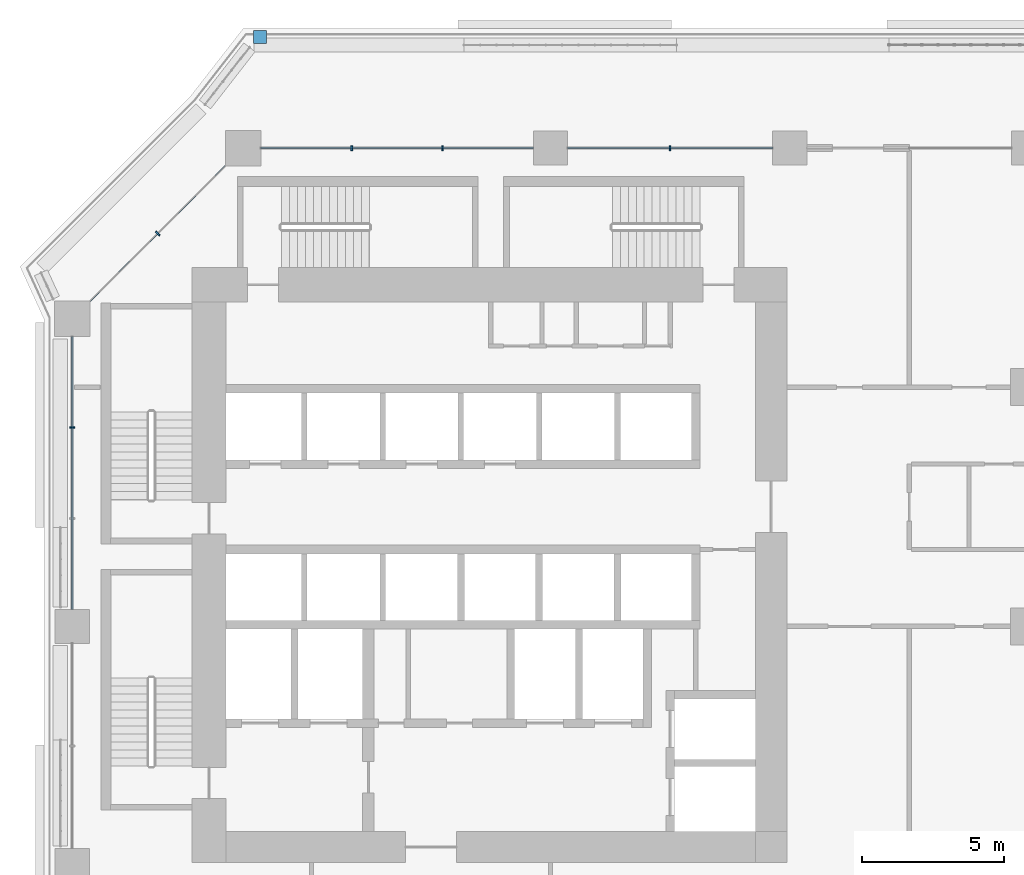
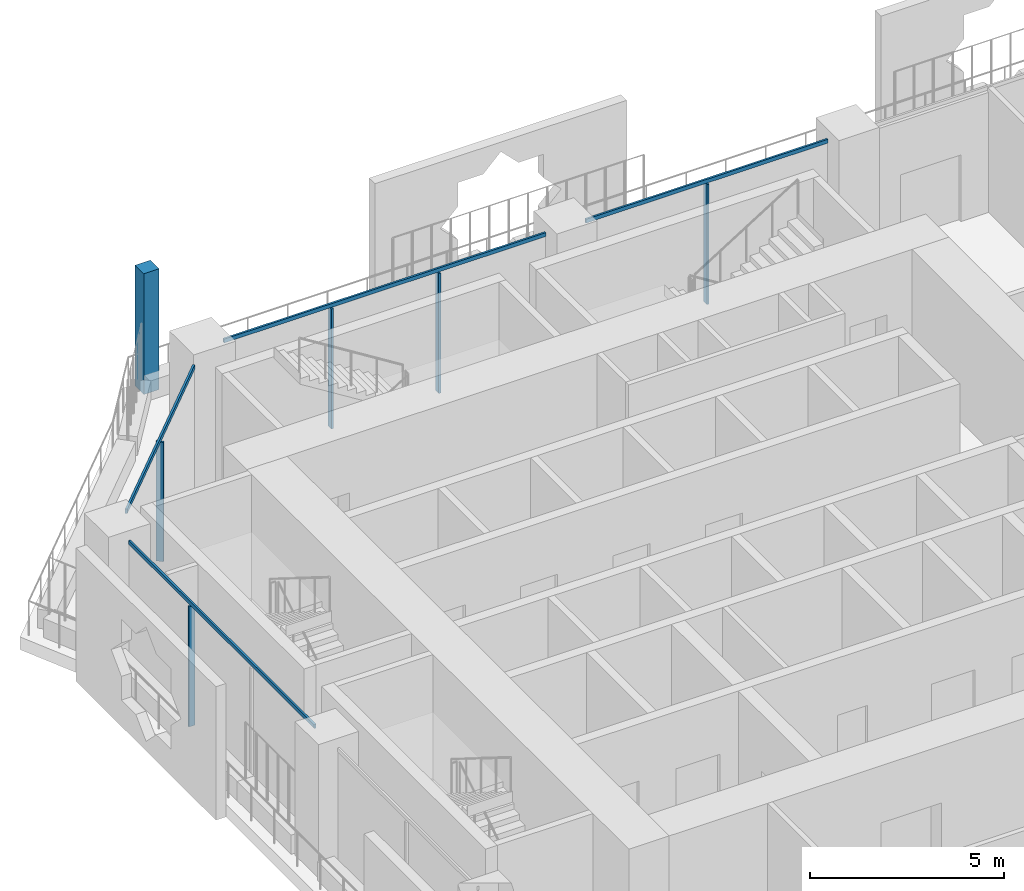
# One storey, part 8 of 29: 10 members, 4 elements without a shape of their own.
"""IFC4 building model written with IfcOpenShell, lengths in metres."""

import ifcopenshell
import ifcopenshell.guid

model = None  # the IFC model being written
_history = None  # IfcOwnerHistory: only IFC2X3 demands one
_inside = {}  # id of a spatial element -> (the spatial element, [elements in it])
_under = {}  # id of a project, library or spatial element -> (it, [spatial elements below it])
_declared = {}  # id of a project -> (the project, [libraries it declares])
_typed = {}  # id of a type object -> (the type object, [elements of that type])
_made_of = {}  # id of a material, layer set ... -> (it, [elements and type objects made of it])


def new_model(schema):
    """Start an empty IFC model of exactly this schema.

    Asked for "IFC4X3", IfcOpenShell would pick the latest addendum, in which some entities
    have other attributes; the version numbers below select the first issue.
    IFC2X3 requires an IfcOwnerHistory on every rooted entity: one is made here for all.
    """
    global model, _history
    if schema == "IFC4X3":
        model = ifcopenshell.file(schema_version=(4, 3, 0, 0))
    else:
        model = ifcopenshell.file(schema=schema)
    _inside.clear()
    _under.clear()
    _declared.clear()
    _typed.clear()
    _made_of.clear()
    _history = None
    if model.schema == "IFC2X3":
        org = make("IfcOrganization", Name="unknown")
        user = make(
            "IfcPersonAndOrganization",
            ThePerson=make("IfcPerson", FamilyName="unknown"),
            TheOrganization=org,
        )
        app = make(
            "IfcApplication",
            ApplicationDeveloper=org,
            Version="unknown",
            ApplicationFullName="unknown",
            ApplicationIdentifier="unknown",
        )
        _history = make(
            "IfcOwnerHistory",
            OwningUser=user,
            OwningApplication=app,
            ChangeAction="ADDED",
            CreationDate=0,
        )
    return model


def make(cls, **values):
    """One entity of the class cls with the attributes given. An attribute that is None is left unset."""
    return model.create_entity(
        cls, **{name: value for name, value in values.items() if value is not None}
    )


def rooted(cls, **values):
    """An entity with a GlobalId (a new one), such as an element, a storey or a relation."""
    return make(cls, GlobalId=ifcopenshell.guid.new(), OwnerHistory=_history, **values)


def si_unit(unit_type, name, prefix=None):
    """IfcSIUnit, for example si_unit("LENGTHUNIT", "METRE", prefix="MILLI")."""
    return make("IfcSIUnit", UnitType=unit_type, Prefix=prefix, Name=name)


def assignment(units):
    """IfcUnitAssignment: the units of a project."""
    return None if units is None else make("IfcUnitAssignment", Units=units)


def point(xyz):
    """IfcCartesianPoint."""
    return None if xyz is None else make("IfcCartesianPoint", Coordinates=xyz)


def direction(xyz):
    """IfcDirection."""
    return None if xyz is None else make("IfcDirection", DirectionRatios=xyz)


def frame(location, z_axis=None, x_axis=None):
    """IfcAxis2Placement3D, a coordinate frame: its origin and axes. An axis left out is left unset."""
    return make(
        "IfcAxis2Placement3D",
        Location=point(location),
        Axis=direction(z_axis),
        RefDirection=direction(x_axis),
    )


def frame_2d(location, x_axis=None):
    """IfcAxis2Placement2D, a coordinate frame in the plane: its origin and x axis."""
    return make(
        "IfcAxis2Placement2D", Location=point(location), RefDirection=direction(x_axis)
    )


def origin():
    """The frame at (0, 0, 0) with its axes left unset."""
    return frame((0.0, 0.0, 0.0))


def origin_2d():
    """The frame at (0, 0) in the plane with its x axis left unset."""
    return frame_2d((0.0, 0.0))


def place(relative_to, where):
    """IfcLocalPlacement: puts the frame where relative to a parent placement (None: the world)."""
    return make(
        "IfcLocalPlacement", PlacementRelTo=relative_to, RelativePlacement=where
    )


def context(
    kind, dimensions, precision=None, world=None, true_north=None, identifier=None
):
    """IfcGeometricRepresentationContext, for example the 3D "Model" context."""
    return make(
        "IfcGeometricRepresentationContext",
        ContextIdentifier=identifier,
        ContextType=kind,
        CoordinateSpaceDimension=dimensions,
        Precision=precision,
        WorldCoordinateSystem=world,
        TrueNorth=true_north,
    )


def subcontext(parent, identifier, kind, view, scale=None):
    """IfcGeometricRepresentationSubContext, for example "Body" below "Model"."""
    return make(
        "IfcGeometricRepresentationSubContext",
        ContextIdentifier=identifier,
        ContextType=kind,
        ParentContext=parent,
        TargetScale=scale,
        TargetView=view,
    )


def project(units=None, contexts=None):
    """IfcProject with its units and contexts."""
    return rooted(
        "IfcProject",
        Name="project",
        RepresentationContexts=contexts,
        UnitsInContext=assignment(units),
    )


def spatial(cls, under=None, at=None, **own):
    """A site, building, storey or space (cls), placed at a placement, below another one or the project."""
    s = rooted(cls, ObjectPlacement=at, **own)
    if under is not None:
        _under.setdefault(under.id(), (under, []))[1].append(s)
    return s


def profile(cls, at=None, kind="AREA", **sizes):
    """A parametric profile (cls). Its sizes go by their IFC names, for example OverallWidth=200.0."""
    return make(cls, ProfileType=kind, Position=at, **sizes)


def rectangle(**sizes):
    """IfcRectangleProfileDef."""
    return profile("IfcRectangleProfileDef", **sizes)


def extrude(swept, where, along, depth):
    """IfcExtrudedAreaSolid: the profile swept, set in the frame where, extruded along a direction by depth."""
    return make(
        "IfcExtrudedAreaSolid",
        SweptArea=swept,
        Position=where,
        ExtrudedDirection=direction(along),
        Depth=depth,
    )


def shape(context_of_items, identifier, shape_type, items):
    """IfcShapeRepresentation: the items that make up one representation, for example the "Body"."""
    return make(
        "IfcShapeRepresentation",
        ContextOfItems=context_of_items,
        RepresentationIdentifier=identifier,
        RepresentationType=shape_type,
        Items=items,
    )


def material(Name=None, Category=None):
    """IfcMaterial."""
    return make("IfcMaterial", Name=Name, Category=Category)


def layer(
    of_material, thickness, ventilated=None, Name=None, Category=None, Priority=None
):
    """IfcMaterialLayer: one layer of a wall or slab, of a material (None: an air gap)."""
    return make(
        "IfcMaterialLayer",
        Material=of_material,
        LayerThickness=thickness,
        IsVentilated=ventilated,
        Name=Name,
        Category=Category,
        Priority=Priority,
    )


def layer_set(layers, Name=None):
    """IfcMaterialLayerSet."""
    return make("IfcMaterialLayerSet", MaterialLayers=layers, LayerSetName=Name)


def material_profile(
    of_material, cross_section, Name=None, Category=None, Priority=None
):
    """IfcMaterialProfile: a cross section and its material."""
    return make(
        "IfcMaterialProfile",
        Name=Name,
        Material=of_material,
        Profile=cross_section,
        Priority=Priority,
        Category=Category,
    )


def profile_set(profiles, Name=None, composite=None):
    """IfcMaterialProfileSet."""
    return make(
        "IfcMaterialProfileSet",
        Name=Name,
        MaterialProfiles=profiles,
        CompositeProfile=composite,
    )


def made_of(thing, what):
    """Note that an element or type object is made of a material, layer set ...; save() writes the relation."""
    if what is not None:
        _made_of.setdefault(what.id(), (what, []))[1].append(thing)
    return thing


def type_object(cls, material=None, **own):
    """A type object (cls), such as IfcWallType, which elements share."""
    return made_of(rooted(cls, **own), material)


def element(
    cls,
    number,
    at=None,
    inside=None,
    cuts=None,
    type_object=None,
    material=None,
    context=None,
    identifier="Body",
    shape_type=None,
    held_by="IfcProductDefinitionShape",
    body=None,
    shapes=None,
    **own,
):
    """One element of the class cls, such as IfcWall. Its Tag is "e" and its number.

    at: its placement. inside: the storey or other place that contains it. cuts: it is an
    opening in that element (IfcRelVoidsElement). A single representation is given by context,
    identifier, shape_type and body (its items); several are given by shapes. held_by: the class
    of the entity that holds the representations. save() writes the other relations.
    """
    e = rooted(cls, Tag="e%d" % number, ObjectPlacement=at, **own)
    if body is not None:
        shapes = [shape(context, identifier, shape_type, body)]
    if shapes is not None:
        e.Representation = make(held_by, Representations=shapes)
    if inside is not None:
        _inside.setdefault(inside.id(), (inside, []))[1].append(e)
    if cuts is not None:
        rooted(
            "IfcRelVoidsElement", RelatingBuildingElement=cuts, RelatedOpeningElement=e
        )
    if type_object is not None:
        _typed.setdefault(type_object.id(), (type_object, []))[1].append(e)
    return made_of(e, material)


def aggregate(whole, parts):
    """IfcRelAggregates: a whole, such as a stair, and the parts it consists of."""
    return rooted("IfcRelAggregates", RelatingObject=whole, RelatedObjects=parts)


def save(model, path):
    """Write the relations noted so far, then the file.

    IfcRelAggregates (storeys below a building ...), IfcRelContainedInSpatialStructure (elements
    in a storey), IfcRelDefinesByType, IfcRelAssociatesMaterial and IfcRelDeclares: one each for
    every whole, place, type object, material and project.
    """
    for whole, parts in _under.values():
        aggregate(whole, parts)
    for where, things in _inside.values():
        rooted(
            "IfcRelContainedInSpatialStructure",
            RelatedElements=things,
            RelatingStructure=where,
        )
    for kind, things in _typed.values():
        rooted("IfcRelDefinesByType", RelatedObjects=things, RelatingType=kind)
    for what, things in _made_of.values():
        rooted("IfcRelAssociatesMaterial", RelatedObjects=things, RelatingMaterial=what)
    for by, libraries in _declared.values():
        rooted("IfcRelDeclares", RelatingContext=by, RelatedDefinitions=libraries)
    model.write(path)


model = new_model("IFC4")

# Units and contexts
model_context = context("Model", 3, precision=1e-05, world=origin(), true_north=direction((0.0, 1.0)))
body_context = subcontext(model_context, "Body", "Model", "MODEL_VIEW")
ifc_project = project(units=[si_unit("LENGTHUNIT", "METRE"), si_unit("AREAUNIT", "SQUARE_METRE"), si_unit("VOLUMEUNIT", "CUBIC_METRE"), si_unit("PLANEANGLEUNIT", "RADIAN"), si_unit("MASSUNIT", "GRAM", prefix="KILO")], contexts=[model_context])

# Site, building, storey
site_placement = place(None, origin())
site = spatial("IfcSite", under=ifc_project, at=site_placement, CompositionType="ELEMENT")
building_placement = place(site_placement, origin())
building = spatial("IfcBuilding", under=site, at=building_placement, Name="Kawkab Arch Medical Tower", CompositionType="ELEMENT")
storey_placement = place(building_placement, frame((0.0, 0.0, 64.39990234375)))
storey = spatial("IfcBuildingStorey", under=building, at=storey_placement, Name="L14", CompositionType="ELEMENT", Elevation=64.39990234375)

# Curtain wall, member
ifc_material_1 = material(Name="Bronze anodised aluminium curtain wall frame", Category="aluminium")
ifc_layer_1 = layer(ifc_material_1, 0.159912109375)
ifc_layer_set_1 = layer_set([ifc_layer_1], Name="Bronze anodised aluminium curtain wall frame")
curtain_wall_type_1 = type_object("IfcCurtainWallType", Name="CW1 ward curtain wall", PredefinedType="NOTDEFINED", material=ifc_layer_set_1)
placement = place(storey_placement, origin())
curtain_wall_1 = element("IfcCurtainWall", 1, at=placement, inside=storey, type_object=curtain_wall_type_1, Name="CW1 Ward curtain wall R01", PredefinedType="NOTDEFINED")
ifc_material_2 = material(Name="Bronze anodised aluminium curtain wall frame", Category="aluminium")
ifc_material_profile_1 = material_profile(ifc_material_2, rectangle(XDim=0.179931640625, YDim=0.06005859375, at=origin_2d()), Name="AL 60x180")
ifc_profile_set_1 = profile_set([ifc_material_profile_1], Name="Bronze anodised aluminium curtain wall frame")
member_type_1 = type_object("IfcMemberType", Name="CW1 mullion 60 x 180", PredefinedType="MULLION", material=ifc_profile_set_1)
member_1_placement = place(storey_placement, frame((0.0, -9.816650390625, 0.0), z_axis=(0.0, 0.0, 1.0), x_axis=(1.0, 0.0, 0.0)))
member_1 = element("IfcMember", 2, at=member_1_placement, type_object=member_type_1, Name="CW1 mullion 1.1", PredefinedType="MULLION", context=body_context, shape_type="SweptSolid", body=[
    extrude(rectangle(XDim=0.179931640625, YDim=0.06005859375, at=origin_2d()), origin(), (0.0, 0.0, 1.0), 3.780029296875),
])

# Curtain wall, members
curtain_wall_2 = element("IfcCurtainWall", 3, at=placement, inside=storey, type_object=curtain_wall_type_1, Name="CW1 Ward curtain wall R11", PredefinedType="NOTDEFINED")
member_2_placement = place(storey_placement, frame((21.0, 0.0, 0.0), z_axis=(0.0, 0.0, 1.0), x_axis=(0.0, -1.0, 0.0)))
member_2 = element("IfcMember", 4, at=member_2_placement, type_object=member_type_1, Name="CW1 mullion 7.1", PredefinedType="MULLION", context=body_context, shape_type="SweptSolid", body=[
    extrude(rectangle(XDim=0.179931640625, YDim=0.06005859375, at=origin_2d()), origin(), (0.0, 0.0, 1.0), 3.780029296875),
])
member_3_placement = place(storey_placement, frame((13.00830078125, 0.0, 0.0), z_axis=(0.0, 0.0, 1.0), x_axis=(0.0, -1.0, 0.0)))
member_3 = element("IfcMember", 5, at=member_3_placement, type_object=member_type_1, Name="CW1 mullion 8.1", PredefinedType="MULLION", context=body_context, shape_type="SweptSolid", body=[
    extrude(rectangle(XDim=0.179931640625, YDim=0.06005859375, at=origin_2d()), origin(), (0.0, 0.0, 1.0), 3.780029296875),
])
member_4_placement = place(storey_placement, frame((9.816650390625, 0.0, 0.0), z_axis=(0.0, 0.0, 1.0), x_axis=(0.0, -1.0, 0.0)))
member_4 = element("IfcMember", 6, at=member_4_placement, type_object=member_type_1, Name="CW1 mullion 8.2", PredefinedType="MULLION", context=body_context, shape_type="SweptSolid", body=[
    extrude(rectangle(XDim=0.179931640625, YDim=0.06005859375, at=origin_2d()), origin(), (0.0, 0.0, 1.0), 3.780029296875),
])

# Member
ifc_material_3 = material(Name="Bronze anodised aluminium curtain wall frame", Category="aluminium")
ifc_material_profile_2 = material_profile(ifc_material_3, rectangle(XDim=0.06005859375, YDim=0.1201171875, at=origin_2d()), Name="AL 60x120")
ifc_profile_set_2 = profile_set([ifc_material_profile_2], Name="Bronze anodised aluminium curtain wall frame")
member_type_2 = type_object("IfcMemberType", Name="CW1 transom 120 x 60", PredefinedType="USERDEFINED", material=ifc_profile_set_2)
member_5_placement = place(storey_placement, frame((0.0, -6.625, 3.840087890625), z_axis=(0.0, -1.0, 0.0), x_axis=(1.0, 0.0, 0.0)))
member_5 = element("IfcMember", 7, at=member_5_placement, type_object=member_type_2, Name="CW1 transom 1", ObjectType="TRANSOM", PredefinedType="USERDEFINED", context=body_context, shape_type="SweptSolid", body=[
    extrude(rectangle(XDim=0.06005859375, YDim=0.1201171875, at=origin_2d()), origin(), (0.0, 0.0, 1.0), 9.574951171875),
])

aggregate(curtain_wall_1, [member_5, member_1])

member_6_placement = place(storey_placement, frame((24.60009765625, 0.0, 3.840087890625), z_axis=(-1.0, 0.0, 0.0), x_axis=(0.0, -1.0, 0.0)))
member_6 = element("IfcMember", 8, at=member_6_placement, type_object=member_type_2, Name="CW1 transom 7", ObjectType="TRANSOM", PredefinedType="USERDEFINED", context=body_context, shape_type="SweptSolid", body=[
    extrude(rectangle(XDim=0.06005859375, YDim=0.1201171875, at=origin_2d()), origin(), (0.0, 0.0, 1.0), 7.2001953125),
])

member_7_placement = place(storey_placement, frame((16.199951171875, 0.0, 3.840087890625), z_axis=(-1.0, 0.0, 0.0), x_axis=(0.0, -1.0, 0.0)))
member_7 = element("IfcMember", 9, at=member_7_placement, type_object=member_type_2, Name="CW1 transom 8", ObjectType="TRANSOM", PredefinedType="USERDEFINED", context=body_context, shape_type="SweptSolid", body=[
    extrude(rectangle(XDim=0.06005859375, YDim=0.1201171875, at=origin_2d()), origin(), (0.0, 0.0, 1.0), 9.574951171875),
])

aggregate(curtain_wall_2, [member_6, member_2, member_7, member_3, member_4])

# Curtain wall, members
ifc_material_4 = material(Name="Bronze anodised aluminium curtain wall frame", Category="aluminium")
ifc_layer_2 = layer(ifc_material_4, 0.159912109375)
ifc_layer_set_2 = layer_set([ifc_layer_2], Name="Bronze anodised aluminium curtain wall frame")
curtain_wall_type_2 = type_object("IfcCurtainWallType", Name="CW2 chamfer curtain wall", PredefinedType="NOTDEFINED", material=ifc_layer_set_2)
curtain_wall_3 = element("IfcCurtainWall", 10, at=placement, inside=storey, type_object=curtain_wall_type_2, Name="CW2 Chamfer curtain wall R12", PredefinedType="NOTDEFINED")
ifc_material_5 = material(Name="Bronze anodised aluminium curtain wall frame", Category="aluminium")
ifc_material_profile_3 = material_profile(ifc_material_5, rectangle(XDim=0.199951171875, YDim=0.06005859375, at=origin_2d()), Name="AL 60x200")
ifc_profile_set_3 = profile_set([ifc_material_profile_3], Name="Bronze anodised aluminium curtain wall frame")
member_type_3 = type_object("IfcMemberType", Name="CW2 mullion 60 x 200", PredefinedType="MULLION", material=ifc_profile_set_3)
member_8_placement = place(storey_placement, frame((3.0, -3.0, 0.0), z_axis=(0.0, 0.0, 1.0), x_axis=(0.707106781187, -0.707106781187, 0.0)))
member_8 = element("IfcMember", 11, at=member_8_placement, type_object=member_type_3, Name="CW2 mullion 1.1", PredefinedType="MULLION", context=body_context, shape_type="SweptSolid", body=[
    extrude(rectangle(XDim=0.199951171875, YDim=0.06005859375, at=origin_2d()), origin(), (0.0, 0.0, 1.0), 3.760009765625),
])
ifc_material_6 = material(Name="Bronze anodised aluminium curtain wall frame", Category="aluminium")
ifc_material_profile_4 = material_profile(ifc_material_6, rectangle(XDim=0.06005859375, YDim=0.139892578125, at=origin_2d()), Name="AL 60x140")
ifc_profile_set_4 = profile_set([ifc_material_profile_4], Name="Bronze anodised aluminium curtain wall frame")
member_type_4 = type_object("IfcMemberType", Name="CW2 transom 140 x 60", PredefinedType="USERDEFINED", material=ifc_profile_set_4)
member_9_placement = place(storey_placement, frame((5.375, -0.625, 3.830078125), z_axis=(-0.707106781187, -0.707106781187, 0.0), x_axis=(0.707106781187, -0.707106781187, 0.0)))
member_9 = element("IfcMember", 12, at=member_9_placement, type_object=member_type_4, Name="CW2 transom 1", ObjectType="TRANSOM", PredefinedType="USERDEFINED", context=body_context, shape_type="SweptSolid", body=[
    extrude(rectangle(XDim=0.06005859375, YDim=0.139892578125, at=origin_2d()), origin(), (0.0, 0.0, 1.0), 6.717529296875),
])
aggregate(curtain_wall_3, [member_9, member_8])

# Curtain wall, member
ifc_material_7 = material(Name="Bronze anodised aluminium climber frame, planted", Category="aluminium")
ifc_layer_3 = layer(ifc_material_7, 0.449951171875)
ifc_layer_set_3 = layer_set([ifc_layer_3], Name="Bronze anodised aluminium climber frame, planted")
curtain_wall_type_3 = type_object("IfcCurtainWallType", Name="Planted climber frame", PredefinedType="NOTDEFINED", material=ifc_layer_set_3)
curtain_wall_4 = element("IfcCurtainWall", 13, at=placement, inside=storey, type_object=curtain_wall_type_3, Name="Planted climber frame L14", PredefinedType="NOTDEFINED")
ifc_material_8 = material(Name="Bronze anodised aluminium climber frame, planted", Category="aluminium")
ifc_material_profile_5 = material_profile(ifc_material_8, rectangle(XDim=0.449951171875, YDim=0.449951171875, at=origin_2d()), Name="Post 450x450")
ifc_profile_set_5 = profile_set([ifc_material_profile_5], Name="Bronze anodised aluminium climber frame, planted")
member_type_5 = type_object("IfcMemberType", Name="Planted climber post 450 x 450", PredefinedType="MULLION", material=ifc_profile_set_5)
member_10_placement = place(storey_placement, frame((6.596923828125, 3.89990234375, 0.0), z_axis=(0.0, 0.0, 1.0), x_axis=(1.0, 0.0, 0.0)))
member_10 = element("IfcMember", 14, at=member_10_placement, type_object=member_type_5, Name="Planted climber post L14.LOG-01-01.3", PredefinedType="MULLION", context=body_context, shape_type="SweptSolid", body=[
    extrude(rectangle(XDim=0.449951171875, YDim=0.449951171875, at=origin_2d()), origin(), (0.0, 0.0, 1.0), 3.800048828125),
])
aggregate(curtain_wall_4, [member_10])

save(model, "model.ifc")
